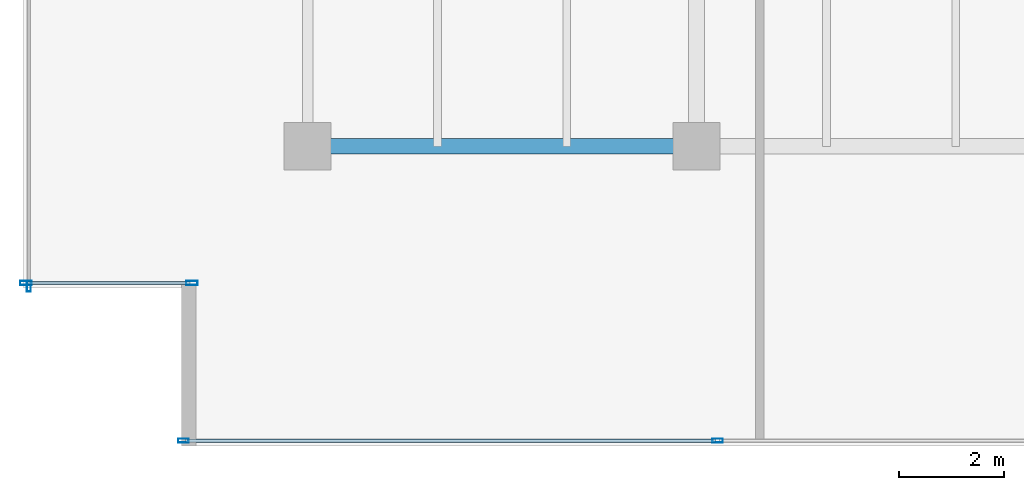
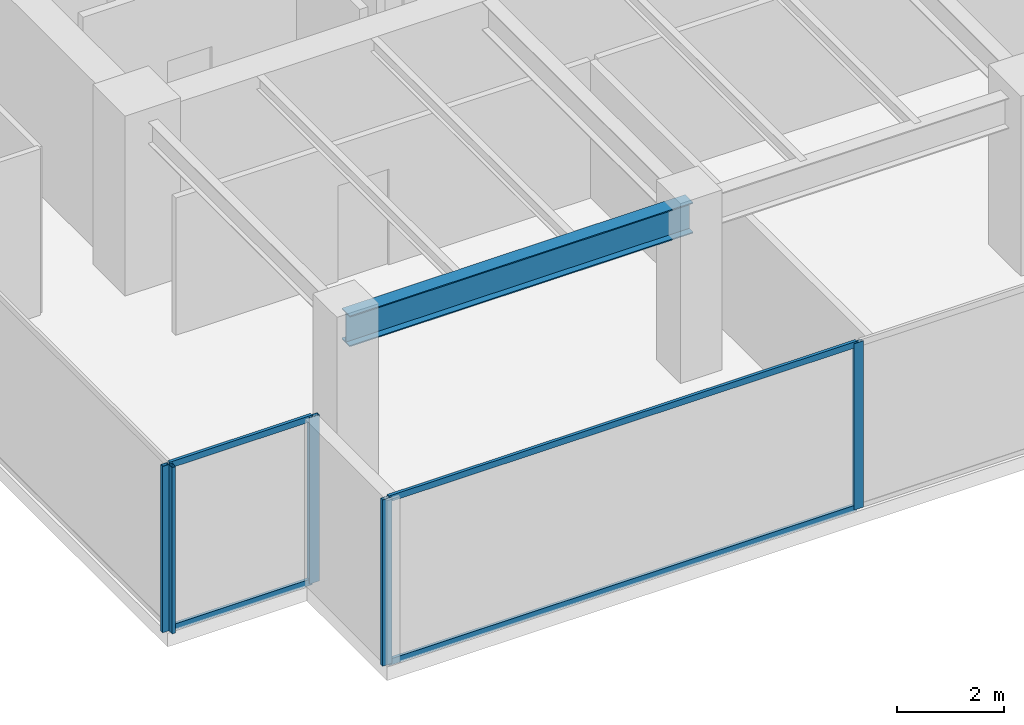
# One storey, part 2 of 30: 9 members, 1 beam, 3 elements without a shape of their own.
"""IFC4 building model written with IfcOpenShell, lengths in metres."""

from ifc_helpers import new_model, si_unit, direction, frame, origin, origin_2d, place, context, subcontext, project, spatial, hollow_rectangle, i_section, extrude, source, transform, mapped, material, layer, layer_set, material_profile, profile_set, type_object, type_shapes, element, aggregate, save


model = new_model("IFC4")

# Units and contexts
model_context = context("Model", 3, precision=1e-05, world=origin(), true_north=direction((0.0, 1.0)))
body_context = subcontext(model_context, "Body", "Model", "MODEL_VIEW")
ifc_project = project(units=[si_unit("LENGTHUNIT", "METRE"), si_unit("AREAUNIT", "SQUARE_METRE"), si_unit("VOLUMEUNIT", "CUBIC_METRE"), si_unit("PLANEANGLEUNIT", "RADIAN"), si_unit("MASSUNIT", "GRAM", prefix="KILO")], contexts=[model_context])

# Site, building, storey
site_placement = place(None, origin())
site = spatial("IfcSite", under=ifc_project, at=site_placement, CompositionType="ELEMENT")
building_placement = place(site_placement, origin())
building = spatial("IfcBuilding", under=site, at=building_placement, Name="Haelvirn Gate Laboratories", CompositionType="ELEMENT")
storey_placement = place(building_placement, frame((0.0, 0.0, 121.5)))
storey = spatial("IfcBuildingStorey", under=building, at=storey_placement, Name="L29", CompositionType="ELEMENT", Elevation=121.5)

# Beam
ifc_material_1 = material(Name="Steel SM355", Category="steel")
ifc_material_profile_1 = material_profile(ifc_material_1, i_section(OverallWidth=0.300048828125, OverallDepth=0.699951171875, WebThickness=0.012939453125, FlangeThickness=0.02392578125, at=origin_2d()), Name="H-700x300x13x24")
ifc_profile_set_1 = profile_set([ifc_material_profile_1], Name="Steel SM355")
beam_type = type_object("IfcBeamType", Name="BM-G-700", PredefinedType="BEAM", material=ifc_profile_set_1)
shared_shape_1 = source(origin(), body_context, "Body", "SweptSolid", [
    extrude(i_section(OverallWidth=0.300048828125, OverallDepth=0.699951171875, WebThickness=0.012939453125, FlangeThickness=0.02392578125, at=origin_2d()), origin(), (0.0, 0.0, 1.0), 7.400146484375),
])
type_shapes(beam_type, [shared_shape_1])
beam_placement = place(storey_placement, frame((7.39990234375, 7.0, 3.43994140625), z_axis=(1.0, 0.0, 0.0), x_axis=(0.0, 1.0, 0.0)))
element("IfcBeam", 1, at=beam_placement, inside=storey, type_object=beam_type, Name="L29 Primary Girder Y7.0 (7.4-14.8)", PredefinedType="BEAM", context=body_context, shape_type="MappedRepresentation", body=[
    mapped(shared_shape_1, transform((0.0, 0.0, 0.0), scale=1.0)),
])

# Curtain wall, members
ifc_material_2 = material(Name="Anodised bronze unitised aluminium & triple low-E glass", Category="aluminium")
ifc_layer_1 = layer(ifc_material_2, 0.179931640625, Name="CW-SYS-3")
ifc_layer_set_1 = layer_set([ifc_layer_1], Name="Anodised bronze unitised aluminium & triple low-E glass")
curtain_wall_type_1 = type_object("IfcCurtainWallType", Name="CW-SYS-3", PredefinedType="NOTDEFINED", material=ifc_layer_set_1)
curtain_wall_1_placement = place(storey_placement, origin())
curtain_wall_1 = element("IfcCurtainWall", 2, at=curtain_wall_1_placement, inside=storey, type_object=curtain_wall_type_1, Name="L29 Unitised Curtain Wall CW-L29-P0-E00-1", PredefinedType="NOTDEFINED")
ifc_material_3 = material(Name="Extruded aluminium 6063-T6 (anodised bronze)", Category="aluminium")
ifc_material_profile_2 = material_profile(ifc_material_3, hollow_rectangle(XDim=0.06494140625, YDim=0.139892578125, WallThickness=0.00390625, at=origin_2d()), Name="CWT-140x65x4")
ifc_profile_set_2 = profile_set([ifc_material_profile_2], Name="Extruded aluminium 6063-T6 (anodised bronze)")
member_type_1 = type_object("IfcMemberType", Name="CWT-T140", PredefinedType="USERDEFINED", material=ifc_profile_set_2)
shared_shape_2 = source(origin(), body_context, "Body", "SweptSolid", [
    extrude(hollow_rectangle(XDim=0.06494140625, YDim=0.139892578125, WallThickness=0.00390625, at=origin_2d()), origin(), (0.0, 0.0, 1.0), 10.087646484375),
])
member_1_placement = place(storey_placement, frame((5.074951171875, 1.39990234375, 0.032470703125), z_axis=(1.0, 0.0, 0.0), x_axis=(0.0, 1.0, 0.0)))
member_1 = element("IfcMember", 3, at=member_1_placement, type_object=member_type_1, Name="CW3 transom 1.1", ObjectType="TRANSOM", PredefinedType="USERDEFINED", context=body_context, shape_type="MappedRepresentation", body=[
    mapped(shared_shape_2, transform((0.0, 0.0, 0.0), scale=1.0)),
])
member_2_placement = place(storey_placement, frame((5.074951171875, 1.39990234375, 3.757568359375), z_axis=(1.0, 0.0, 0.0), x_axis=(0.0, 1.0, 0.0)))
member_2 = element("IfcMember", 4, at=member_2_placement, type_object=member_type_1, Name="CW3 transom 1.2", ObjectType="TRANSOM", PredefinedType="USERDEFINED", context=body_context, shape_type="MappedRepresentation", body=[
    mapped(shared_shape_2, transform((0.0, 0.0, 0.0), scale=1.0)),
])

ifc_layer_2 = layer(ifc_material_2, 0.181884765625, Name="CW-SYS-5")
ifc_layer_set_2 = layer_set([ifc_layer_2], Name="Anodised bronze unitised aluminium & triple low-E glass")
curtain_wall_type_2 = type_object("IfcCurtainWallType", Name="CW-SYS-5", PredefinedType="NOTDEFINED", material=ifc_layer_set_2)
curtain_wall_2_placement = place(storey_placement, origin())
curtain_wall_2 = element("IfcCurtainWall", 5, at=curtain_wall_2_placement, inside=storey, type_object=curtain_wall_type_2, Name="L29 Unitised Curtain Wall CW-L29-P0-E18-1", PredefinedType="NOTDEFINED")
shared_shape_3 = source(origin(), body_context, "Body", "SweptSolid", [
    extrude(hollow_rectangle(XDim=0.06494140625, YDim=0.139892578125, WallThickness=0.00390625, at=origin_2d()), origin(), (0.0, 0.0, 1.0), 3.079833984375),
])
type_shapes(member_type_1, [shared_shape_2, shared_shape_3])
member_3_placement = place(storey_placement, frame((2.080078125, 4.39990234375, 0.032470703125), z_axis=(1.0, 0.0, 0.0), x_axis=(0.0, 1.0, 0.0)))
member_3 = element("IfcMember", 6, at=member_3_placement, type_object=member_type_1, Name="CW5 transom 1.1", ObjectType="TRANSOM", PredefinedType="USERDEFINED", context=body_context, shape_type="MappedRepresentation", body=[
    mapped(shared_shape_3, transform((0.0, 0.0, 0.0), scale=1.0)),
])
member_4_placement = place(storey_placement, frame((2.080078125, 4.39990234375, 3.757568359375), z_axis=(1.0, 0.0, 0.0), x_axis=(0.0, 1.0, 0.0)))
member_4 = element("IfcMember", 7, at=member_4_placement, type_object=member_type_1, Name="CW5 transom 1.2", ObjectType="TRANSOM", PredefinedType="USERDEFINED", context=body_context, shape_type="MappedRepresentation", body=[
    mapped(shared_shape_3, transform((0.0, 0.0, 0.0), scale=1.0)),
])

# Member
ifc_material_profile_3 = material_profile(ifc_material_3, hollow_rectangle(XDim=0.074951171875, YDim=0.199951171875, WallThickness=0.0048828125, at=origin_2d()), Name="CWM-200x75x5")
ifc_profile_set_3 = profile_set([ifc_material_profile_3], Name="Extruded aluminium 6063-T6 (anodised bronze)")
member_type_2 = type_object("IfcMemberType", Name="CWM-T200", PredefinedType="MULLION", material=ifc_profile_set_3)
shared_shape_4 = source(origin(), body_context, "Body", "SweptSolid", [
    extrude(hollow_rectangle(XDim=0.074951171875, YDim=0.199951171875, WallThickness=0.0048828125, at=origin_2d()), origin(), (0.0, 0.0, 1.0), 3.7900390625),
])
type_shapes(member_type_2, [shared_shape_4])
member_5_placement = place(storey_placement, frame((5.03759765625, 1.39990234375, 0.0), z_axis=(0.0, 0.0, 1.0), x_axis=(0.0, 1.0, 0.0)))
member_5 = element("IfcMember", 8, at=member_5_placement, type_object=member_type_2, Name="CW3 mullion 1", PredefinedType="MULLION", context=body_context, shape_type="MappedRepresentation", body=[
    mapped(shared_shape_4, transform((0.0, 0.0, 0.0), scale=1.0)),
])

member_6_placement = place(storey_placement, frame((15.199951171875, 1.39990234375, 0.0), z_axis=(0.0, 0.0, 1.0), x_axis=(0.0, 1.0, 0.0)))
member_6 = element("IfcMember", 9, at=member_6_placement, type_object=member_type_2, Name="CW3 mullion 2", PredefinedType="MULLION", context=body_context, shape_type="MappedRepresentation", body=[
    mapped(shared_shape_4, transform((0.0, 0.0, 0.0), scale=1.0)),
])

aggregate(curtain_wall_1, [member_5, member_6, member_1, member_2])

# Curtain wall, member
curtain_wall_3_placement = place(storey_placement, origin())
curtain_wall_3 = element("IfcCurtainWall", 10, at=curtain_wall_3_placement, inside=storey, type_object=curtain_wall_type_1, Name="L29 Unitised Curtain Wall CW-L29-P0-E17", PredefinedType="NOTDEFINED")
member_7_placement = place(storey_placement, frame((2.10009765625, 4.33740234375, 0.0), z_axis=(0.0, 0.0, 1.0), x_axis=(1.0, 0.0, 0.0)))
member_7 = element("IfcMember", 11, at=member_7_placement, type_object=member_type_2, Name="CW3 mullion 4", PredefinedType="MULLION", context=body_context, shape_type="MappedRepresentation", body=[
    mapped(shared_shape_4, transform((0.0, 0.0, 0.0), scale=1.0)),
])
aggregate(curtain_wall_3, [member_7])

# Member
ifc_material_profile_4 = material_profile(ifc_material_3, hollow_rectangle(XDim=0.080078125, YDim=0.219970703125, WallThickness=0.006103515625, at=origin_2d()), Name="CWM-220x80x6")
ifc_profile_set_4 = profile_set([ifc_material_profile_4], Name="Extruded aluminium 6063-T6 (anodised bronze)")
member_type_3 = type_object("IfcMemberType", Name="CWM-T220", PredefinedType="MULLION", material=ifc_profile_set_4)
shared_shape_5 = source(origin(), body_context, "Body", "SweptSolid", [
    extrude(hollow_rectangle(XDim=0.080078125, YDim=0.219970703125, WallThickness=0.006103515625, at=origin_2d()), origin(), (0.0, 0.0, 1.0), 3.7900390625),
])
type_shapes(member_type_3, [shared_shape_5])
member_8_placement = place(storey_placement, frame((2.0400390625, 4.39990234375, 0.0), z_axis=(0.0, 0.0, 1.0), x_axis=(0.0, 1.0, 0.0)))
member_8 = element("IfcMember", 12, at=member_8_placement, type_object=member_type_3, Name="CW5 mullion 1", PredefinedType="MULLION", context=body_context, shape_type="MappedRepresentation", body=[
    mapped(shared_shape_5, transform((0.0, 0.0, 0.0), scale=1.0)),
])

member_9_placement = place(storey_placement, frame((5.199951171875, 4.39990234375, 0.0), z_axis=(0.0, 0.0, 1.0), x_axis=(0.0, 1.0, 0.0)))
member_9 = element("IfcMember", 13, at=member_9_placement, type_object=member_type_3, Name="CW5 mullion 2", PredefinedType="MULLION", context=body_context, shape_type="MappedRepresentation", body=[
    mapped(shared_shape_5, transform((0.0, 0.0, 0.0), scale=1.0)),
])

aggregate(curtain_wall_2, [member_8, member_9, member_3, member_4])

save(model, "model.ifc")
